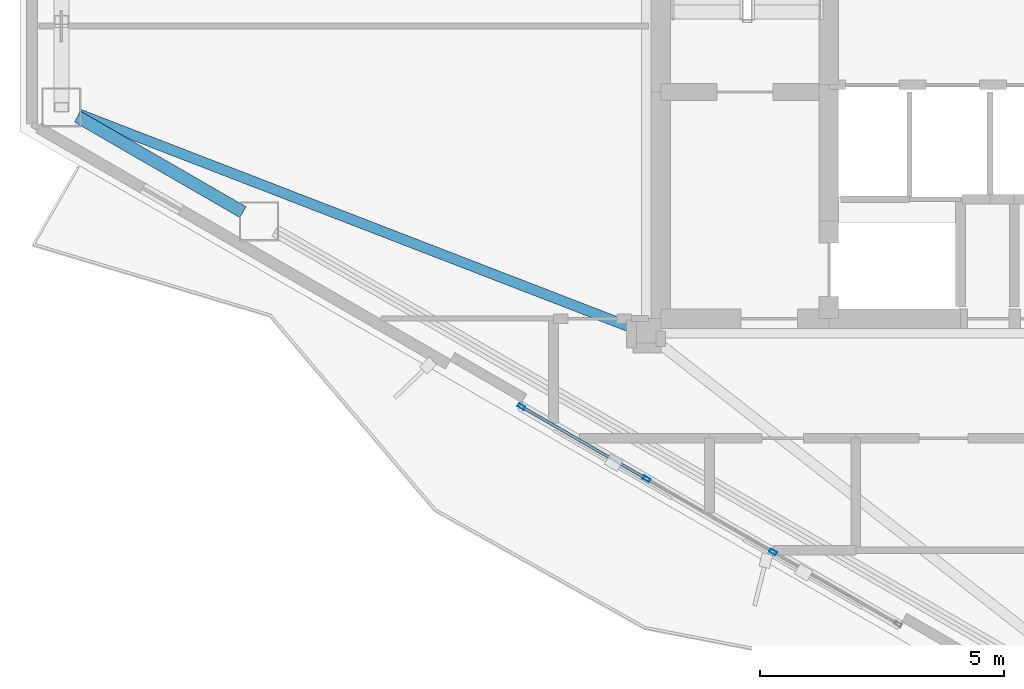
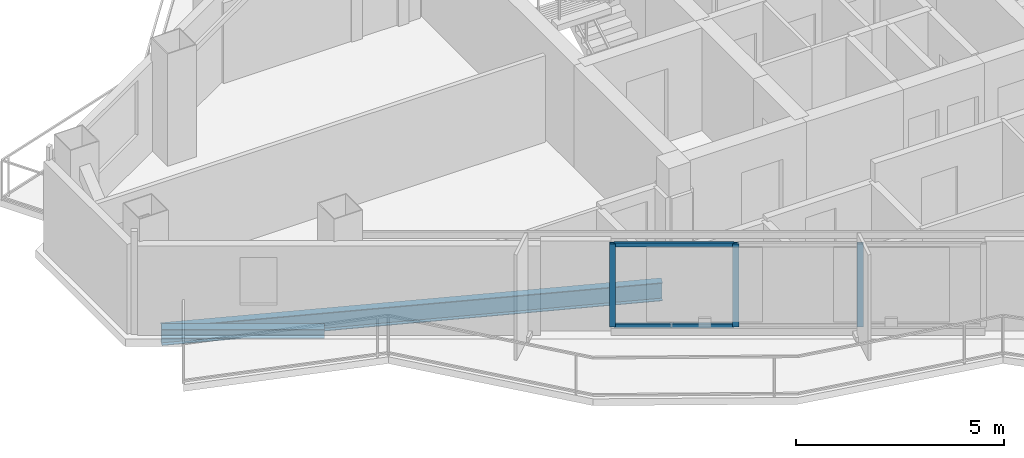
# One storey, part 2 of 21: 5 members, 2 beams, 1 element without a shape of its own.
"""IFC4 building model written with IfcOpenShell, lengths in metres."""

import ifcopenshell
import ifcopenshell.guid

model = None  # the IFC model being written
_history = None  # IfcOwnerHistory: only IFC2X3 demands one
_inside = {}  # id of a spatial element -> (the spatial element, [elements in it])
_under = {}  # id of a project, library or spatial element -> (it, [spatial elements below it])
_declared = {}  # id of a project -> (the project, [libraries it declares])
_typed = {}  # id of a type object -> (the type object, [elements of that type])
_made_of = {}  # id of a material, layer set ... -> (it, [elements and type objects made of it])


def new_model(schema):
    """Start an empty IFC model of exactly this schema.

    Asked for "IFC4X3", IfcOpenShell would pick the latest addendum, in which some entities
    have other attributes; the version numbers below select the first issue.
    IFC2X3 requires an IfcOwnerHistory on every rooted entity: one is made here for all.
    """
    global model, _history
    if schema == "IFC4X3":
        model = ifcopenshell.file(schema_version=(4, 3, 0, 0))
    else:
        model = ifcopenshell.file(schema=schema)
    _inside.clear()
    _under.clear()
    _declared.clear()
    _typed.clear()
    _made_of.clear()
    _history = None
    if model.schema == "IFC2X3":
        org = make("IfcOrganization", Name="unknown")
        user = make(
            "IfcPersonAndOrganization",
            ThePerson=make("IfcPerson", FamilyName="unknown"),
            TheOrganization=org,
        )
        app = make(
            "IfcApplication",
            ApplicationDeveloper=org,
            Version="unknown",
            ApplicationFullName="unknown",
            ApplicationIdentifier="unknown",
        )
        _history = make(
            "IfcOwnerHistory",
            OwningUser=user,
            OwningApplication=app,
            ChangeAction="ADDED",
            CreationDate=0,
        )
    return model


def make(cls, **values):
    """One entity of the class cls with the attributes given. An attribute that is None is left unset."""
    return model.create_entity(
        cls, **{name: value for name, value in values.items() if value is not None}
    )


def rooted(cls, **values):
    """An entity with a GlobalId (a new one), such as an element, a storey or a relation."""
    return make(cls, GlobalId=ifcopenshell.guid.new(), OwnerHistory=_history, **values)


def si_unit(unit_type, name, prefix=None):
    """IfcSIUnit, for example si_unit("LENGTHUNIT", "METRE", prefix="MILLI")."""
    return make("IfcSIUnit", UnitType=unit_type, Prefix=prefix, Name=name)


def assignment(units):
    """IfcUnitAssignment: the units of a project."""
    return None if units is None else make("IfcUnitAssignment", Units=units)


def point(xyz):
    """IfcCartesianPoint."""
    return None if xyz is None else make("IfcCartesianPoint", Coordinates=xyz)


def direction(xyz):
    """IfcDirection."""
    return None if xyz is None else make("IfcDirection", DirectionRatios=xyz)


def frame(location, z_axis=None, x_axis=None):
    """IfcAxis2Placement3D, a coordinate frame: its origin and axes. An axis left out is left unset."""
    return make(
        "IfcAxis2Placement3D",
        Location=point(location),
        Axis=direction(z_axis),
        RefDirection=direction(x_axis),
    )


def frame_2d(location, x_axis=None):
    """IfcAxis2Placement2D, a coordinate frame in the plane: its origin and x axis."""
    return make(
        "IfcAxis2Placement2D", Location=point(location), RefDirection=direction(x_axis)
    )


def origin():
    """The frame at (0, 0, 0) with its axes left unset."""
    return frame((0.0, 0.0, 0.0))


def origin_2d():
    """The frame at (0, 0) in the plane with its x axis left unset."""
    return frame_2d((0.0, 0.0))


def place(relative_to, where):
    """IfcLocalPlacement: puts the frame where relative to a parent placement (None: the world)."""
    return make(
        "IfcLocalPlacement", PlacementRelTo=relative_to, RelativePlacement=where
    )


def context(
    kind, dimensions, precision=None, world=None, true_north=None, identifier=None
):
    """IfcGeometricRepresentationContext, for example the 3D "Model" context."""
    return make(
        "IfcGeometricRepresentationContext",
        ContextIdentifier=identifier,
        ContextType=kind,
        CoordinateSpaceDimension=dimensions,
        Precision=precision,
        WorldCoordinateSystem=world,
        TrueNorth=true_north,
    )


def subcontext(parent, identifier, kind, view, scale=None):
    """IfcGeometricRepresentationSubContext, for example "Body" below "Model"."""
    return make(
        "IfcGeometricRepresentationSubContext",
        ContextIdentifier=identifier,
        ContextType=kind,
        ParentContext=parent,
        TargetScale=scale,
        TargetView=view,
    )


def project(units=None, contexts=None):
    """IfcProject with its units and contexts."""
    return rooted(
        "IfcProject",
        Name="project",
        RepresentationContexts=contexts,
        UnitsInContext=assignment(units),
    )


def spatial(cls, under=None, at=None, **own):
    """A site, building, storey or space (cls), placed at a placement, below another one or the project."""
    s = rooted(cls, ObjectPlacement=at, **own)
    if under is not None:
        _under.setdefault(under.id(), (under, []))[1].append(s)
    return s


def profile(cls, at=None, kind="AREA", **sizes):
    """A parametric profile (cls). Its sizes go by their IFC names, for example OverallWidth=200.0."""
    return make(cls, ProfileType=kind, Position=at, **sizes)


def hollow_rectangle(**sizes):
    """IfcRectangleHollowProfileDef."""
    return profile("IfcRectangleHollowProfileDef", **sizes)


def i_section(**sizes):
    """IfcIShapeProfileDef."""
    return profile("IfcIShapeProfileDef", **sizes)


def extrude(swept, where, along, depth):
    """IfcExtrudedAreaSolid: the profile swept, set in the frame where, extruded along a direction by depth."""
    return make(
        "IfcExtrudedAreaSolid",
        SweptArea=swept,
        Position=where,
        ExtrudedDirection=direction(along),
        Depth=depth,
    )


def shape(context_of_items, identifier, shape_type, items):
    """IfcShapeRepresentation: the items that make up one representation, for example the "Body"."""
    return make(
        "IfcShapeRepresentation",
        ContextOfItems=context_of_items,
        RepresentationIdentifier=identifier,
        RepresentationType=shape_type,
        Items=items,
    )


def material(Name=None, Category=None):
    """IfcMaterial."""
    return make("IfcMaterial", Name=Name, Category=Category)


def layer(
    of_material, thickness, ventilated=None, Name=None, Category=None, Priority=None
):
    """IfcMaterialLayer: one layer of a wall or slab, of a material (None: an air gap)."""
    return make(
        "IfcMaterialLayer",
        Material=of_material,
        LayerThickness=thickness,
        IsVentilated=ventilated,
        Name=Name,
        Category=Category,
        Priority=Priority,
    )


def layer_set(layers, Name=None):
    """IfcMaterialLayerSet."""
    return make("IfcMaterialLayerSet", MaterialLayers=layers, LayerSetName=Name)


def material_profile(
    of_material, cross_section, Name=None, Category=None, Priority=None
):
    """IfcMaterialProfile: a cross section and its material."""
    return make(
        "IfcMaterialProfile",
        Name=Name,
        Material=of_material,
        Profile=cross_section,
        Priority=Priority,
        Category=Category,
    )


def profile_set(profiles, Name=None, composite=None):
    """IfcMaterialProfileSet."""
    return make(
        "IfcMaterialProfileSet",
        Name=Name,
        MaterialProfiles=profiles,
        CompositeProfile=composite,
    )


def made_of(thing, what):
    """Note that an element or type object is made of a material, layer set ...; save() writes the relation."""
    if what is not None:
        _made_of.setdefault(what.id(), (what, []))[1].append(thing)
    return thing


def type_object(cls, material=None, **own):
    """A type object (cls), such as IfcWallType, which elements share."""
    return made_of(rooted(cls, **own), material)


def element(
    cls,
    number,
    at=None,
    inside=None,
    cuts=None,
    type_object=None,
    material=None,
    context=None,
    identifier="Body",
    shape_type=None,
    held_by="IfcProductDefinitionShape",
    body=None,
    shapes=None,
    **own,
):
    """One element of the class cls, such as IfcWall. Its Tag is "e" and its number.

    at: its placement. inside: the storey or other place that contains it. cuts: it is an
    opening in that element (IfcRelVoidsElement). A single representation is given by context,
    identifier, shape_type and body (its items); several are given by shapes. held_by: the class
    of the entity that holds the representations. save() writes the other relations.
    """
    e = rooted(cls, Tag="e%d" % number, ObjectPlacement=at, **own)
    if body is not None:
        shapes = [shape(context, identifier, shape_type, body)]
    if shapes is not None:
        e.Representation = make(held_by, Representations=shapes)
    if inside is not None:
        _inside.setdefault(inside.id(), (inside, []))[1].append(e)
    if cuts is not None:
        rooted(
            "IfcRelVoidsElement", RelatingBuildingElement=cuts, RelatedOpeningElement=e
        )
    if type_object is not None:
        _typed.setdefault(type_object.id(), (type_object, []))[1].append(e)
    return made_of(e, material)


def aggregate(whole, parts):
    """IfcRelAggregates: a whole, such as a stair, and the parts it consists of."""
    return rooted("IfcRelAggregates", RelatingObject=whole, RelatedObjects=parts)


def save(model, path):
    """Write the relations noted so far, then the file.

    IfcRelAggregates (storeys below a building ...), IfcRelContainedInSpatialStructure (elements
    in a storey), IfcRelDefinesByType, IfcRelAssociatesMaterial and IfcRelDeclares: one each for
    every whole, place, type object, material and project.
    """
    for whole, parts in _under.values():
        aggregate(whole, parts)
    for where, things in _inside.values():
        rooted(
            "IfcRelContainedInSpatialStructure",
            RelatedElements=things,
            RelatingStructure=where,
        )
    for kind, things in _typed.values():
        rooted("IfcRelDefinesByType", RelatedObjects=things, RelatingType=kind)
    for what, things in _made_of.values():
        rooted("IfcRelAssociatesMaterial", RelatedObjects=things, RelatingMaterial=what)
    for by, libraries in _declared.values():
        rooted("IfcRelDeclares", RelatingContext=by, RelatedDefinitions=libraries)
    model.write(path)


model = new_model("IFC4")

# Units and contexts
model_context = context("Model", 3, precision=1e-05, world=origin(), true_north=direction((0.0, 1.0)))
body_context = subcontext(model_context, "Body", "Model", "MODEL_VIEW")
ifc_project = project(units=[si_unit("LENGTHUNIT", "METRE"), si_unit("AREAUNIT", "SQUARE_METRE"), si_unit("VOLUMEUNIT", "CUBIC_METRE"), si_unit("PLANEANGLEUNIT", "RADIAN"), si_unit("MASSUNIT", "GRAM", prefix="KILO")], contexts=[model_context])

# Site, building, storey
site_placement = place(None, origin())
site = spatial("IfcSite", under=ifc_project, at=site_placement, CompositionType="ELEMENT")
building_placement = place(site_placement, origin())
building = spatial("IfcBuilding", under=site, at=building_placement, Name="Mersakhor Tower and Convention Hall", CompositionType="ELEMENT")
storey_placement = place(building_placement, frame((0.0, 0.0, 215.10009765625)))
storey = spatial("IfcBuildingStorey", under=building, at=storey_placement, Name="L60", CompositionType="ELEMENT", Elevation=215.10009765625)

# Beams
ifc_material_1 = material(Name="Steel S355", Category="steel")
ifc_material_profile_1 = material_profile(ifc_material_1, i_section(OverallWidth=0.2099609375, OverallDepth=0.53662109375, WebThickness=0.0107421875, FlangeThickness=0.017333984375, at=origin_2d()), Name="UB 533x210x101")
ifc_profile_set_1 = profile_set([ifc_material_profile_1], Name="Steel S355")
beam_type_1 = type_object("IfcBeamType", Name="BM-FB-533", PredefinedType="BEAM", material=ifc_profile_set_1)
beam_1_placement = place(storey_placement, frame((21.638916015625, 20.55078125, -0.498291015625), z_axis=(-0.932761425449, 0.36049427623, 0.0), x_axis=(-0.36049427623, -0.932761425449, 0.0)))
element("IfcBeam", 1, at=beam_1_placement, inside=storey, type_object=beam_type_1, Name="L60 Primary Floor Girder FG-6", PredefinedType="BEAM", context=body_context, shape_type="SweptSolid", body=[
    extrude(i_section(OverallWidth=0.2099609375, OverallDepth=0.53662109375, WebThickness=0.0107421875, FlangeThickness=0.017333984375, at=origin_2d()), origin(), (0.0, 0.0, 1.0), 12.197021484375),
])
ifc_material_2 = material(Name="Steel S355", Category="steel")
ifc_material_profile_2 = material_profile(ifc_material_2, i_section(OverallWidth=0.25634765625, OverallDepth=0.26025390625, WebThickness=0.01025390625, FlangeThickness=0.017333984375, at=origin_2d()), Name="UC 254x254x89")
ifc_profile_set_2 = profile_set([ifc_material_profile_2], Name="Steel S355")
beam_type_2 = type_object("IfcBeamType", Name="BM-SPD-UC254", PredefinedType="SPANDREL", material=ifc_profile_set_2)
beam_2_placement = place(storey_placement, frame((13.630615234375, 22.93505859375, -0.360107421875), z_axis=(-0.866007153761, 0.500031608635, 0.0), x_axis=(-0.500031608635, -0.866007153761, 0.0)))
element("IfcBeam", 2, at=beam_2_placement, inside=storey, type_object=beam_type_2, Name="L60 Perimeter Spandrel Beam SPB-11", PredefinedType="SPANDREL", context=body_context, shape_type="SweptSolid", body=[
    extrude(i_section(OverallWidth=0.25634765625, OverallDepth=0.26025390625, WebThickness=0.01025390625, FlangeThickness=0.017333984375, at=origin_2d()), origin(), (0.0, 0.0, 1.0), 3.919189453125),
])

# Curtain wall, members
ifc_material_3 = material(Name="Dark solar low-E aluminium curtain wall", Category="aluminium")
ifc_layer = layer(ifc_material_3, 0.169921875)
ifc_layer_set = layer_set([ifc_layer], Name="Dark solar low-E aluminium curtain wall")
curtain_wall_type = type_object("IfcCurtainWallType", Name="CW-SYS-02", PredefinedType="USERDEFINED", material=ifc_layer_set)
curtain_wall_placement = place(storey_placement, origin())
curtain_wall = element("IfcCurtainWall", 3, at=curtain_wall_placement, inside=storey, type_object=curtain_wall_type, Name="L60 Dark-Glass Curtain Wall F3-B2", ObjectType="CURTAIN WALL", PredefinedType="USERDEFINED")
ifc_material_4 = material(Name="Anodised aluminium EN AW-6063 T6", Category="aluminium")
ifc_material_profile_3 = material_profile(ifc_material_4, hollow_rectangle(XDim=0.074951171875, YDim=0.14990234375, WallThickness=0.00634765625, at=origin_2d()), Name="RHS 150x75x6.3")
ifc_profile_set_3 = profile_set([ifc_material_profile_3], Name="Anodised aluminium EN AW-6063 T6")
member_type_1 = type_object("IfcMemberType", Name="CWM-150x75", PredefinedType="MULLION", material=ifc_profile_set_3)
member_1_placement = place(storey_placement, frame((24.504638671875, 15.964111328125, 0.199951171875), z_axis=(0.0, 0.0, 1.0), x_axis=(-0.500007824483, -0.86602088627, 0.0)))
member_1 = element("IfcMember", 4, at=member_1_placement, type_object=member_type_1, Name="CW-02 mullion 2", PredefinedType="MULLION", context=body_context, shape_type="SweptSolid", body=[
    extrude(hollow_rectangle(XDim=0.074951171875, YDim=0.14990234375, WallThickness=0.00634765625, at=origin_2d()), origin(), (0.0, 0.0, 1.0), 2.43994140625),
])
member_2_placement = place(storey_placement, frame((21.906982421875, 17.464111328125, 0.199951171875), z_axis=(0.0, 0.0, 1.0), x_axis=(-0.500007824483, -0.86602088627, 0.0)))
member_2 = element("IfcMember", 5, at=member_2_placement, type_object=member_type_1, Name="CW-02 mullion 3", PredefinedType="MULLION", context=body_context, shape_type="SweptSolid", body=[
    extrude(hollow_rectangle(XDim=0.074951171875, YDim=0.14990234375, WallThickness=0.00634765625, at=origin_2d()), origin(), (0.0, 0.0, 1.0), 2.43994140625),
])
member_3_placement = place(storey_placement, frame((19.341796875, 18.945068359375, 0.199951171875), z_axis=(0.0, 0.0, 1.0), x_axis=(-0.500007824483, -0.86602088627, 0.0)))
member_3 = element("IfcMember", 6, at=member_3_placement, type_object=member_type_1, Name="CW-02 mullion 4", PredefinedType="MULLION", context=body_context, shape_type="SweptSolid", body=[
    extrude(hollow_rectangle(XDim=0.074951171875, YDim=0.14990234375, WallThickness=0.00634765625, at=origin_2d()), origin(), (0.0, 0.0, 1.0), 2.43994140625),
])
ifc_material_5 = material(Name="Anodised aluminium EN AW-6063 T6", Category="aluminium")
ifc_material_profile_4 = material_profile(ifc_material_5, hollow_rectangle(XDim=0.06005859375, YDim=0.1201171875, WallThickness=0.0048828125, at=origin_2d()), Name="RHS 120x60x5")
ifc_profile_set_4 = profile_set([ifc_material_profile_4], Name="Anodised aluminium EN AW-6063 T6")
member_type_2 = type_object("IfcMemberType", Name="CWT-120x60", PredefinedType="USERDEFINED", material=ifc_profile_set_4)
member_4_placement = place(storey_placement, frame((21.87451171875, 17.48291015625, 0.22998046875), z_axis=(-0.86601237176, 0.50002257145, 0.0), x_axis=(-0.50002257145, -0.86601237176, 0.0)))
member_4 = element("IfcMember", 7, at=member_4_placement, type_object=member_type_2, Name="CW-02 transom 3.1", ObjectType="TRANSOM", PredefinedType="USERDEFINED", context=body_context, shape_type="SweptSolid", body=[
    extrude(hollow_rectangle(XDim=0.06005859375, YDim=0.1201171875, WallThickness=0.0048828125, at=origin_2d()), origin(), (0.0, 0.0, 1.0), 2.886962890625),
])
member_5_placement = place(storey_placement, frame((21.87451171875, 17.48291015625, 2.60986328125), z_axis=(-0.86601237176, 0.50002257145, 0.0), x_axis=(-0.50002257145, -0.86601237176, 0.0)))
member_5 = element("IfcMember", 8, at=member_5_placement, type_object=member_type_2, Name="CW-02 transom 3.2", ObjectType="TRANSOM", PredefinedType="USERDEFINED", context=body_context, shape_type="SweptSolid", body=[
    extrude(hollow_rectangle(XDim=0.06005859375, YDim=0.1201171875, WallThickness=0.0048828125, at=origin_2d()), origin(), (0.0, 0.0, 1.0), 2.886962890625),
])
aggregate(curtain_wall, [member_1, member_2, member_3, member_4, member_5])

save(model, "model.ifc")
